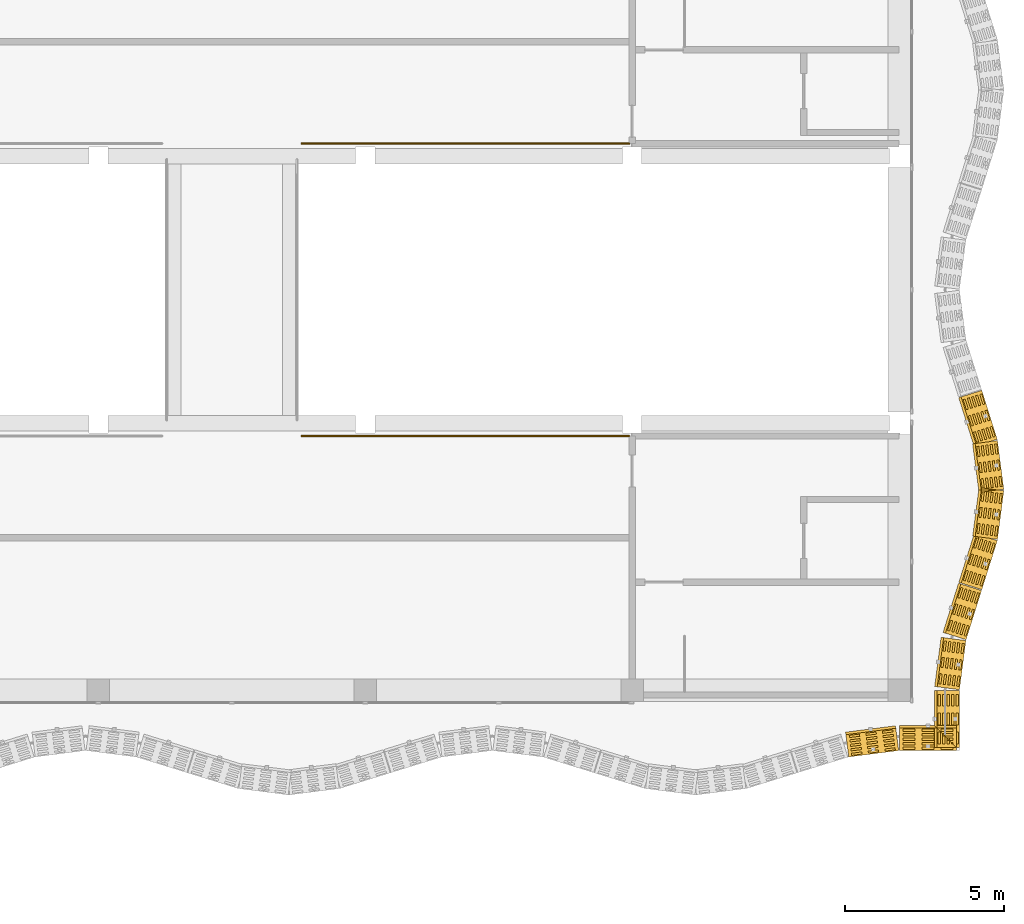
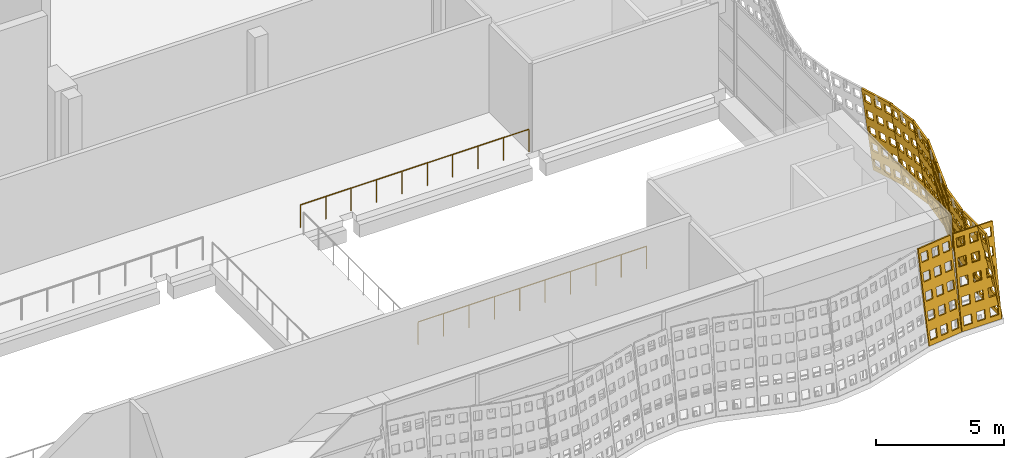
# One storey, part 160 of 162: 9 coverings, 2 railings.
"""IFC4 building model written with IfcOpenShell, lengths in metres."""

from ifc_helpers import new_model, si_unit, direction, frame, origin, origin_2d, place, context, subcontext, project, spatial, polyline, circle, outline, extrude, material, layer, layer_set, type_object, element, save


model = new_model("IFC4")

# Units and contexts
model_context = context("Model", 3, precision=1e-05, world=origin(), true_north=direction((0.0, 1.0)))
body_context = subcontext(model_context, "Body", "Model", "MODEL_VIEW")
ifc_project = project(units=[si_unit("LENGTHUNIT", "METRE"), si_unit("AREAUNIT", "SQUARE_METRE"), si_unit("VOLUMEUNIT", "CUBIC_METRE"), si_unit("PLANEANGLEUNIT", "RADIAN"), si_unit("MASSUNIT", "GRAM", prefix="KILO")], contexts=[model_context])

# Site, building, storey
site_placement = place(None, origin())
site = spatial("IfcSite", under=ifc_project, at=site_placement, CompositionType="ELEMENT")
building_placement = place(site_placement, origin())
building = spatial("IfcBuilding", under=site, at=building_placement, Name="Rain Tree Exposition and Congress Centre", CompositionType="ELEMENT")
storey_placement = place(building_placement, frame((0.0, 0.0, 6.0)))
storey = spatial("IfcBuildingStorey", under=building, at=storey_placement, Name="L01", CompositionType="ELEMENT", Elevation=6.0)

# Railings
ifc_material_1 = material(Name="Aluminium and glass balustrade", Category="aluminium")
railing_type = type_object("IfcRailingType", Name="Concourse guard 1100", PredefinedType="GUARDRAIL", material=ifc_material_1)
for number, where, name in (
    (1, (250.0, 83.60009765625, 0.0), "Concourse promenade guard 13"),
    (2, (250.0, 92.800048828125, 0.0), "Concourse promenade guard 27"),
):
    element("IfcRailing", number, at=place(storey_placement, frame(where)), inside=storey, type_object=railing_type, Name=name, PredefinedType="GUARDRAIL", context=body_context, shape_type="SweptSolid", body=[
        extrude(circle(Radius=0.02392578125, at=origin_2d()), frame((0.0, 0.0, 1.076171875), z_axis=(1.0, 0.0, 0.0), x_axis=(0.0, 1.0, 0.0)), (0.0, 0.0, 1.0), 10.300048828125),
        extrude(circle(Radius=0.02099609375, at=origin_2d()), origin(), (0.0, 0.0, 1.0), 1.052001953125),
        extrude(circle(Radius=0.02099609375, at=origin_2d()), frame((1.14453125, 0.0, 0.0)), (0.0, 0.0, 1.0), 1.052001953125),
        extrude(circle(Radius=0.02099609375, at=origin_2d()), frame((2.288818359375, 0.0, 0.0)), (0.0, 0.0, 1.0), 1.052001953125),
        extrude(circle(Radius=0.02099609375, at=origin_2d()), frame((3.433349609375, 0.0, 0.0)), (0.0, 0.0, 1.0), 1.052001953125),
        extrude(circle(Radius=0.02099609375, at=origin_2d()), frame((4.577880859375, 0.0, 0.0)), (0.0, 0.0, 1.0), 1.052001953125),
        extrude(circle(Radius=0.02099609375, at=origin_2d()), frame((5.72216796875, 0.0, 0.0)), (0.0, 0.0, 1.0), 1.052001953125),
        extrude(circle(Radius=0.02099609375, at=origin_2d()), frame((6.86669921875, 0.0, 0.0)), (0.0, 0.0, 1.0), 1.052001953125),
        extrude(circle(Radius=0.02099609375, at=origin_2d()), frame((8.01123046875, 0.0, 0.0)), (0.0, 0.0, 1.0), 1.052001953125),
        extrude(circle(Radius=0.02099609375, at=origin_2d()), frame((9.155517578125, 0.0, 0.0)), (0.0, 0.0, 1.0), 1.052001953125),
        extrude(circle(Radius=0.02099609375, at=origin_2d()), frame((10.300048828125, 0.0, 0.0)), (0.0, 0.0, 1.0), 1.052001953125),
    ])

# Coverings
ifc_material_2 = material(Name="Perforated terracotta", Category="masonry")
ifc_layer = layer(ifc_material_2, 0.080078125)
ifc_layer_set = layer_set([ifc_layer], Name="Perforated terracotta")
covering_type = type_object("IfcCoveringType", Name="Terracotta screen 80", PredefinedType="CLADDING", material=ifc_layer_set)
covering_1_placement = place(storey_placement, frame((267.19970703125, 73.496826171875, 0.01318359375), z_axis=(-0.124968640969, 0.978413018317, -0.164592844203), x_axis=(-0.991941518713, -0.126696580272, 0.0)))
element("IfcCovering", 3, at=covering_1_placement, inside=storey, type_object=covering_type, Name="concourse/screen/L01/168", PredefinedType="CLADDING", context=body_context, shape_type="SweptSolid", body=[
    extrude(outline(polyline([(-1.59814453125, 0.0), (-1.59814453125, 4.295166015625), (-0.014892578125, 4.295166015625), (-0.014892578125, 0.0), (-1.59814453125, 0.0)]), holes=[polyline([(-0.115234375, 0.2216796875), (-0.115234375, 0.63720703125), (-0.4423828125, 0.63720703125), (-0.4423828125, 0.2216796875), (-0.115234375, 0.2216796875)]), polyline([(-0.115234375, 1.080810546875), (-0.115234375, 1.496337890625), (-0.4423828125, 1.496337890625), (-0.4423828125, 1.080810546875), (-0.115234375, 1.080810546875)]), polyline([(-0.115234375, 1.939697265625), (-0.115234375, 2.35546875), (-0.4423828125, 2.35546875), (-0.4423828125, 1.939697265625), (-0.115234375, 1.939697265625)]), polyline([(-0.115234375, 2.798583984375), (-0.115234375, 3.21435546875), (-0.4423828125, 3.21435546875), (-0.4423828125, 2.798583984375), (-0.115234375, 2.798583984375)]), polyline([(-0.115234375, 3.65771484375), (-0.115234375, 4.073486328125), (-0.4423828125, 4.073486328125), (-0.4423828125, 3.65771484375), (-0.115234375, 3.65771484375)]), polyline([(-0.64306640625, 0.2216796875), (-0.64306640625, 0.63720703125), (-0.97021484375, 0.63720703125), (-0.97021484375, 0.2216796875), (-0.64306640625, 0.2216796875)]), polyline([(-0.64306640625, 1.080810546875), (-0.64306640625, 1.496337890625), (-0.97021484375, 1.496337890625), (-0.97021484375, 1.080810546875), (-0.64306640625, 1.080810546875)]), polyline([(-0.64306640625, 1.939697265625), (-0.64306640625, 2.35546875), (-0.97021484375, 2.35546875), (-0.97021484375, 1.939697265625), (-0.64306640625, 1.939697265625)]), polyline([(-0.64306640625, 2.798583984375), (-0.64306640625, 3.21435546875), (-0.97021484375, 3.21435546875), (-0.97021484375, 2.798583984375), (-0.64306640625, 2.798583984375)]), polyline([(-0.64306640625, 3.65771484375), (-0.64306640625, 4.073486328125), (-0.97021484375, 4.073486328125), (-0.97021484375, 3.65771484375), (-0.64306640625, 3.65771484375)]), polyline([(-1.170654296875, 0.2216796875), (-1.170654296875, 0.63720703125), (-1.497802734375, 0.63720703125), (-1.497802734375, 0.2216796875), (-1.170654296875, 0.2216796875)]), polyline([(-1.170654296875, 1.080810546875), (-1.170654296875, 1.496337890625), (-1.497802734375, 1.496337890625), (-1.497802734375, 1.080810546875), (-1.170654296875, 1.080810546875)]), polyline([(-1.170654296875, 1.939697265625), (-1.170654296875, 2.35546875), (-1.497802734375, 2.35546875), (-1.497802734375, 1.939697265625), (-1.170654296875, 1.939697265625)]), polyline([(-1.170654296875, 2.798583984375), (-1.170654296875, 3.21435546875), (-1.497802734375, 3.21435546875), (-1.497802734375, 2.798583984375), (-1.170654296875, 2.798583984375)]), polyline([(-1.170654296875, 3.65771484375), (-1.170654296875, 4.073486328125), (-1.497802734375, 4.073486328125), (-1.497802734375, 3.65771484375), (-1.170654296875, 3.65771484375)])]), origin(), (0.0, 0.0, 1.0), 0.080078125),
])
covering_2_placement = place(storey_placement, frame((268.800048828125, 73.701904296875, 0.01318359375), z_axis=(0.0, 0.986311269939, -0.1648941442), x_axis=(-1.0, 0.0, 0.0)))
element("IfcCovering", 4, at=covering_2_placement, inside=storey, type_object=covering_type, Name="concourse/screen/L01/169", PredefinedType="CLADDING", context=body_context, shape_type="SweptSolid", body=[
    extrude(outline(polyline([(-1.805419921875, 0.0), (-1.805419921875, 4.2958984375), (-0.014892578125, 4.2958984375), (-0.014892578125, 0.0), (-1.805419921875, 0.0)]), holes=[polyline([(-0.12841796875, 0.2216796875), (-0.12841796875, 0.637451171875), (-0.498291015625, 0.637451171875), (-0.498291015625, 0.2216796875), (-0.12841796875, 0.2216796875)]), polyline([(-0.12841796875, 1.080810546875), (-0.12841796875, 1.49658203125), (-0.498291015625, 1.49658203125), (-0.498291015625, 1.080810546875), (-0.12841796875, 1.080810546875)]), polyline([(-0.12841796875, 1.940185546875), (-0.12841796875, 2.355712890625), (-0.498291015625, 2.355712890625), (-0.498291015625, 1.940185546875), (-0.12841796875, 1.940185546875)]), polyline([(-0.12841796875, 2.79931640625), (-0.12841796875, 3.215087890625), (-0.498291015625, 3.215087890625), (-0.498291015625, 2.79931640625), (-0.12841796875, 2.79931640625)]), polyline([(-0.12841796875, 3.658447265625), (-0.12841796875, 4.07421875), (-0.498291015625, 4.07421875), (-0.498291015625, 3.658447265625), (-0.12841796875, 3.658447265625)]), polyline([(-0.72509765625, 0.2216796875), (-0.72509765625, 0.637451171875), (-1.09521484375, 0.637451171875), (-1.09521484375, 0.2216796875), (-0.72509765625, 0.2216796875)]), polyline([(-0.72509765625, 1.080810546875), (-0.72509765625, 1.49658203125), (-1.09521484375, 1.49658203125), (-1.09521484375, 1.080810546875), (-0.72509765625, 1.080810546875)]), polyline([(-0.72509765625, 1.940185546875), (-0.72509765625, 2.355712890625), (-1.09521484375, 2.355712890625), (-1.09521484375, 1.940185546875), (-0.72509765625, 1.940185546875)]), polyline([(-0.72509765625, 2.79931640625), (-0.72509765625, 3.215087890625), (-1.09521484375, 3.215087890625), (-1.09521484375, 2.79931640625), (-0.72509765625, 2.79931640625)]), polyline([(-0.72509765625, 3.658447265625), (-0.72509765625, 4.07421875), (-1.09521484375, 4.07421875), (-1.09521484375, 3.658447265625), (-0.72509765625, 3.658447265625)]), polyline([(-1.322021484375, 0.2216796875), (-1.322021484375, 0.637451171875), (-1.69189453125, 0.637451171875), (-1.69189453125, 0.2216796875), (-1.322021484375, 0.2216796875)]), polyline([(-1.322021484375, 1.080810546875), (-1.322021484375, 1.49658203125), (-1.69189453125, 1.49658203125), (-1.69189453125, 1.080810546875), (-1.322021484375, 1.080810546875)]), polyline([(-1.322021484375, 1.940185546875), (-1.322021484375, 2.355712890625), (-1.69189453125, 2.355712890625), (-1.69189453125, 1.940185546875), (-1.322021484375, 1.940185546875)]), polyline([(-1.322021484375, 2.79931640625), (-1.322021484375, 3.215087890625), (-1.69189453125, 3.215087890625), (-1.69189453125, 2.79931640625), (-1.322021484375, 2.79931640625)]), polyline([(-1.322021484375, 3.658447265625), (-1.322021484375, 4.07421875), (-1.69189453125, 4.07421875), (-1.69189453125, 3.658447265625), (-1.322021484375, 3.658447265625)])]), origin(), (0.0, 0.0, 1.0), 0.079833984375),
])
covering_3_placement = place(storey_placement, frame((270.697998046875, 73.69970703125, 0.01318359375), z_axis=(-0.986311269939, 0.0, -0.1648941442), x_axis=(0.0, -1.0, 0.0)))
element("IfcCovering", 5, at=covering_3_placement, inside=storey, type_object=covering_type, Name="concourse/screen/L01/170", PredefinedType="CLADDING", context=body_context, shape_type="SweptSolid", body=[
    extrude(outline(polyline([(-1.88525390625, 0.0), (-1.88525390625, 4.2958984375), (-0.094970703125, 4.2958984375), (-0.094970703125, 0.0), (-1.88525390625, 0.0)]), holes=[polyline([(-0.20849609375, 0.2216796875), (-0.20849609375, 0.637451171875), (-0.578369140625, 0.637451171875), (-0.578369140625, 0.2216796875), (-0.20849609375, 0.2216796875)]), polyline([(-0.20849609375, 1.080810546875), (-0.20849609375, 1.49658203125), (-0.578369140625, 1.49658203125), (-0.578369140625, 1.080810546875), (-0.20849609375, 1.080810546875)]), polyline([(-0.20849609375, 1.940185546875), (-0.20849609375, 2.355712890625), (-0.578369140625, 2.355712890625), (-0.578369140625, 1.940185546875), (-0.20849609375, 1.940185546875)]), polyline([(-0.20849609375, 2.79931640625), (-0.20849609375, 3.215087890625), (-0.578369140625, 3.215087890625), (-0.578369140625, 2.79931640625), (-0.20849609375, 2.79931640625)]), polyline([(-0.20849609375, 3.658447265625), (-0.20849609375, 4.07421875), (-0.578369140625, 4.07421875), (-0.578369140625, 3.658447265625), (-0.20849609375, 3.658447265625)]), polyline([(-0.80517578125, 0.2216796875), (-0.80517578125, 0.637451171875), (-1.175048828125, 0.637451171875), (-1.175048828125, 0.2216796875), (-0.80517578125, 0.2216796875)]), polyline([(-0.80517578125, 1.080810546875), (-0.80517578125, 1.49658203125), (-1.175048828125, 1.49658203125), (-1.175048828125, 1.080810546875), (-0.80517578125, 1.080810546875)]), polyline([(-0.80517578125, 1.940185546875), (-0.80517578125, 2.355712890625), (-1.175048828125, 2.355712890625), (-1.175048828125, 1.940185546875), (-0.80517578125, 1.940185546875)]), polyline([(-0.80517578125, 2.79931640625), (-0.80517578125, 3.215087890625), (-1.175048828125, 3.215087890625), (-1.175048828125, 2.79931640625), (-0.80517578125, 2.79931640625)]), polyline([(-0.80517578125, 3.658447265625), (-0.80517578125, 4.07421875), (-1.175048828125, 4.07421875), (-1.175048828125, 3.658447265625), (-0.80517578125, 3.658447265625)]), polyline([(-1.40185546875, 0.2216796875), (-1.40185546875, 0.637451171875), (-1.77197265625, 0.637451171875), (-1.77197265625, 0.2216796875), (-1.40185546875, 0.2216796875)]), polyline([(-1.40185546875, 1.080810546875), (-1.40185546875, 1.49658203125), (-1.77197265625, 1.49658203125), (-1.77197265625, 1.080810546875), (-1.40185546875, 1.080810546875)]), polyline([(-1.40185546875, 1.940185546875), (-1.40185546875, 2.355712890625), (-1.77197265625, 2.355712890625), (-1.77197265625, 1.940185546875), (-1.40185546875, 1.940185546875)]), polyline([(-1.40185546875, 2.79931640625), (-1.40185546875, 3.215087890625), (-1.77197265625, 3.215087890625), (-1.77197265625, 2.79931640625), (-1.40185546875, 2.79931640625)]), polyline([(-1.40185546875, 3.658447265625), (-1.40185546875, 4.07421875), (-1.77197265625, 4.07421875), (-1.77197265625, 3.658447265625), (-1.40185546875, 3.658447265625)])]), origin(), (0.0, 0.0, 1.0), 0.079833984375),
])
covering_4_placement = place(storey_placement, frame((270.697998046875, 75.600341796875, 0.01318359375), z_axis=(-0.9779030419, 0.128349774249, -0.165021138321), x_axis=(-0.130133906157, -0.991496427865, 0.0)))
element("IfcCovering", 6, at=covering_4_placement, inside=storey, type_object=covering_type, Name="concourse/screen/L01/171", PredefinedType="CLADDING", context=body_context, shape_type="SweptSolid", body=[
    extrude(outline(polyline([(-1.5732421875, 0.0), (-1.5732421875, 4.295166015625), (-0.014892578125, 4.295166015625), (-0.014892578125, 0.0), (-1.5732421875, 0.0)]), holes=[polyline([(-0.11376953125, 0.2216796875), (-0.11376953125, 0.63720703125), (-0.435791015625, 0.63720703125), (-0.435791015625, 0.2216796875), (-0.11376953125, 0.2216796875)]), polyline([(-0.11376953125, 1.080810546875), (-0.11376953125, 1.496337890625), (-0.435791015625, 1.496337890625), (-0.435791015625, 1.080810546875), (-0.11376953125, 1.080810546875)]), polyline([(-0.11376953125, 1.939697265625), (-0.11376953125, 2.35546875), (-0.435791015625, 2.35546875), (-0.435791015625, 1.939697265625), (-0.11376953125, 1.939697265625)]), polyline([(-0.11376953125, 2.798583984375), (-0.11376953125, 3.21435546875), (-0.435791015625, 3.21435546875), (-0.435791015625, 2.798583984375), (-0.11376953125, 2.798583984375)]), polyline([(-0.11376953125, 3.65771484375), (-0.11376953125, 4.073486328125), (-0.435791015625, 4.073486328125), (-0.435791015625, 3.65771484375), (-0.11376953125, 3.65771484375)]), polyline([(-0.633056640625, 0.2216796875), (-0.633056640625, 0.63720703125), (-0.955078125, 0.63720703125), (-0.955078125, 0.2216796875), (-0.633056640625, 0.2216796875)]), polyline([(-0.633056640625, 1.080810546875), (-0.633056640625, 1.496337890625), (-0.955078125, 1.496337890625), (-0.955078125, 1.080810546875), (-0.633056640625, 1.080810546875)]), polyline([(-0.633056640625, 1.939697265625), (-0.633056640625, 2.35546875), (-0.955078125, 2.35546875), (-0.955078125, 1.939697265625), (-0.633056640625, 1.939697265625)]), polyline([(-0.633056640625, 2.798583984375), (-0.633056640625, 3.21435546875), (-0.955078125, 3.21435546875), (-0.955078125, 2.798583984375), (-0.633056640625, 2.798583984375)]), polyline([(-0.633056640625, 3.65771484375), (-0.633056640625, 4.073486328125), (-0.955078125, 4.073486328125), (-0.955078125, 3.65771484375), (-0.633056640625, 3.65771484375)]), polyline([(-1.152587890625, 0.2216796875), (-1.152587890625, 0.63720703125), (-1.474609375, 0.63720703125), (-1.474609375, 0.2216796875), (-1.152587890625, 0.2216796875)]), polyline([(-1.152587890625, 1.080810546875), (-1.152587890625, 1.496337890625), (-1.474609375, 1.496337890625), (-1.474609375, 1.080810546875), (-1.152587890625, 1.080810546875)]), polyline([(-1.152587890625, 1.939697265625), (-1.152587890625, 2.35546875), (-1.474609375, 2.35546875), (-1.474609375, 1.939697265625), (-1.152587890625, 1.939697265625)]), polyline([(-1.152587890625, 2.798583984375), (-1.152587890625, 3.21435546875), (-1.474609375, 3.21435546875), (-1.474609375, 2.798583984375), (-1.152587890625, 2.798583984375)]), polyline([(-1.152587890625, 3.65771484375), (-1.152587890625, 4.073486328125), (-1.474609375, 4.073486328125), (-1.474609375, 3.65771484375), (-1.152587890625, 3.65771484375)])]), origin(), (0.0, 0.0, 1.0), 0.079833984375),
])
covering_5_placement = place(storey_placement, frame((270.9033203125, 77.175537109375, 0.0126953125), z_axis=(-0.942029390639, 0.295717964052, -0.158529217842), x_axis=(-0.29950542383, -0.954094597562, 0.0)))
element("IfcCovering", 7, at=covering_5_placement, inside=storey, type_object=covering_type, Name="concourse/screen/L01/172", PredefinedType="CLADDING", context=body_context, shape_type="SweptSolid", body=[
    extrude(outline(polyline([(-1.635986328125, 0.0), (-1.635986328125, 4.291259765625), (-0.014892578125, 4.291259765625), (-0.014892578125, 0.0), (-1.635986328125, 0.0)]), holes=[polyline([(-0.11767578125, 0.221435546875), (-0.11767578125, 0.63671875), (-0.45263671875, 0.63671875), (-0.45263671875, 0.221435546875), (-0.11767578125, 0.221435546875)]), polyline([(-0.11767578125, 1.07958984375), (-0.11767578125, 1.4951171875), (-0.45263671875, 1.4951171875), (-0.45263671875, 1.07958984375), (-0.11767578125, 1.07958984375)]), polyline([(-0.11767578125, 1.93798828125), (-0.11767578125, 2.353271484375), (-0.45263671875, 2.353271484375), (-0.45263671875, 1.93798828125), (-0.11767578125, 1.93798828125)]), polyline([(-0.11767578125, 2.796142578125), (-0.11767578125, 3.21142578125), (-0.45263671875, 3.21142578125), (-0.45263671875, 2.796142578125), (-0.11767578125, 2.796142578125)]), polyline([(-0.11767578125, 3.654541015625), (-0.11767578125, 4.06982421875), (-0.45263671875, 4.06982421875), (-0.45263671875, 3.654541015625), (-0.11767578125, 3.654541015625)]), polyline([(-0.657958984375, 0.221435546875), (-0.657958984375, 0.63671875), (-0.992919921875, 0.63671875), (-0.992919921875, 0.221435546875), (-0.657958984375, 0.221435546875)]), polyline([(-0.657958984375, 1.07958984375), (-0.657958984375, 1.4951171875), (-0.992919921875, 1.4951171875), (-0.992919921875, 1.07958984375), (-0.657958984375, 1.07958984375)]), polyline([(-0.657958984375, 1.93798828125), (-0.657958984375, 2.353271484375), (-0.992919921875, 2.353271484375), (-0.992919921875, 1.93798828125), (-0.657958984375, 1.93798828125)]), polyline([(-0.657958984375, 2.796142578125), (-0.657958984375, 3.21142578125), (-0.992919921875, 3.21142578125), (-0.992919921875, 2.796142578125), (-0.657958984375, 2.796142578125)]), polyline([(-0.657958984375, 3.654541015625), (-0.657958984375, 4.06982421875), (-0.992919921875, 4.06982421875), (-0.992919921875, 3.654541015625), (-0.657958984375, 3.654541015625)]), polyline([(-1.1982421875, 0.221435546875), (-1.1982421875, 0.63671875), (-1.533203125, 0.63671875), (-1.533203125, 0.221435546875), (-1.1982421875, 0.221435546875)]), polyline([(-1.1982421875, 1.07958984375), (-1.1982421875, 1.4951171875), (-1.533203125, 1.4951171875), (-1.533203125, 1.07958984375), (-1.1982421875, 1.07958984375)]), polyline([(-1.1982421875, 1.93798828125), (-1.1982421875, 2.353271484375), (-1.533203125, 2.353271484375), (-1.533203125, 1.93798828125), (-1.1982421875, 1.93798828125)]), polyline([(-1.1982421875, 2.796142578125), (-1.1982421875, 3.21142578125), (-1.533203125, 3.21142578125), (-1.533203125, 2.796142578125), (-1.1982421875, 2.796142578125)]), polyline([(-1.1982421875, 3.654541015625), (-1.1982421875, 4.06982421875), (-1.533203125, 4.06982421875), (-1.533203125, 3.654541015625), (-1.1982421875, 3.654541015625)])]), origin(), (0.0, 0.0, 1.0), 0.080078125),
])
covering_6_placement = place(storey_placement, frame((271.3984375, 78.75048828125, 0.0126953125), z_axis=(-0.941176896939, 0.298496232686, -0.158385756119), x_axis=(-0.302312226207, -0.953208958144, 0.0)))
element("IfcCovering", 8, at=covering_6_placement, inside=storey, type_object=covering_type, Name="concourse/screen/L01/173", PredefinedType="CLADDING", context=body_context, shape_type="SweptSolid", body=[
    extrude(outline(polyline([(-1.62890625, 0.0), (-1.62890625, 4.291259765625), (-0.014892578125, 4.291259765625), (-0.014892578125, 0.0), (-1.62890625, 0.0)]), holes=[polyline([(-0.1171875, 0.221435546875), (-0.1171875, 0.63671875), (-0.45068359375, 0.63671875), (-0.45068359375, 0.221435546875), (-0.1171875, 0.221435546875)]), polyline([(-0.1171875, 1.07958984375), (-0.1171875, 1.4951171875), (-0.45068359375, 1.4951171875), (-0.45068359375, 1.07958984375), (-0.1171875, 1.07958984375)]), polyline([(-0.1171875, 1.93798828125), (-0.1171875, 2.353271484375), (-0.45068359375, 2.353271484375), (-0.45068359375, 1.93798828125), (-0.1171875, 1.93798828125)]), polyline([(-0.1171875, 2.796142578125), (-0.1171875, 3.21142578125), (-0.45068359375, 3.21142578125), (-0.45068359375, 2.796142578125), (-0.1171875, 2.796142578125)]), polyline([(-0.1171875, 3.654541015625), (-0.1171875, 4.06982421875), (-0.45068359375, 4.06982421875), (-0.45068359375, 3.654541015625), (-0.1171875, 3.654541015625)]), polyline([(-0.6552734375, 0.221435546875), (-0.6552734375, 0.63671875), (-0.98876953125, 0.63671875), (-0.98876953125, 0.221435546875), (-0.6552734375, 0.221435546875)]), polyline([(-0.6552734375, 1.07958984375), (-0.6552734375, 1.4951171875), (-0.98876953125, 1.4951171875), (-0.98876953125, 1.07958984375), (-0.6552734375, 1.07958984375)]), polyline([(-0.6552734375, 1.93798828125), (-0.6552734375, 2.353271484375), (-0.98876953125, 2.353271484375), (-0.98876953125, 1.93798828125), (-0.6552734375, 1.93798828125)]), polyline([(-0.6552734375, 2.796142578125), (-0.6552734375, 3.21142578125), (-0.98876953125, 3.21142578125), (-0.98876953125, 2.796142578125), (-0.6552734375, 2.796142578125)]), polyline([(-0.6552734375, 3.654541015625), (-0.6552734375, 4.06982421875), (-0.98876953125, 4.06982421875), (-0.98876953125, 3.654541015625), (-0.6552734375, 3.654541015625)]), polyline([(-1.193115234375, 0.221435546875), (-1.193115234375, 0.63671875), (-1.526611328125, 0.63671875), (-1.526611328125, 0.221435546875), (-1.193115234375, 0.221435546875)]), polyline([(-1.193115234375, 1.07958984375), (-1.193115234375, 1.4951171875), (-1.526611328125, 1.4951171875), (-1.526611328125, 1.07958984375), (-1.193115234375, 1.07958984375)]), polyline([(-1.193115234375, 1.93798828125), (-1.193115234375, 2.353271484375), (-1.526611328125, 2.353271484375), (-1.526611328125, 1.93798828125), (-1.193115234375, 1.93798828125)]), polyline([(-1.193115234375, 2.796142578125), (-1.193115234375, 3.21142578125), (-1.526611328125, 3.21142578125), (-1.526611328125, 2.796142578125), (-1.193115234375, 2.796142578125)]), polyline([(-1.193115234375, 3.654541015625), (-1.193115234375, 4.06982421875), (-1.526611328125, 4.06982421875), (-1.526611328125, 3.654541015625), (-1.193115234375, 3.654541015625)])]), origin(), (0.0, 0.0, 1.0), 0.080078125),
])
covering_7_placement = place(storey_placement, frame((271.89306640625, 80.3251953125, 0.01318359375), z_axis=(-0.9779030419, 0.128349774249, -0.165021138321), x_axis=(-0.130133906157, -0.991496427865, 0.0)))
element("IfcCovering", 9, at=covering_7_placement, inside=storey, type_object=covering_type, Name="concourse/screen/L01/174", PredefinedType="CLADDING", context=body_context, shape_type="SweptSolid", body=[
    extrude(outline(polyline([(-1.56298828125, 0.0), (-1.56298828125, 4.295166015625), (-0.02197265625, 4.295166015625), (-0.02197265625, 0.0), (-1.56298828125, 0.0)]), holes=[polyline([(-0.11962890625, 0.2216796875), (-0.11962890625, 0.63720703125), (-0.43798828125, 0.63720703125), (-0.43798828125, 0.2216796875), (-0.11962890625, 0.2216796875)]), polyline([(-0.11962890625, 1.080810546875), (-0.11962890625, 1.496337890625), (-0.43798828125, 1.496337890625), (-0.43798828125, 1.080810546875), (-0.11962890625, 1.080810546875)]), polyline([(-0.11962890625, 1.939697265625), (-0.11962890625, 2.35546875), (-0.43798828125, 2.35546875), (-0.43798828125, 1.939697265625), (-0.11962890625, 1.939697265625)]), polyline([(-0.11962890625, 2.798583984375), (-0.11962890625, 3.21435546875), (-0.43798828125, 3.21435546875), (-0.43798828125, 2.798583984375), (-0.11962890625, 2.798583984375)]), polyline([(-0.11962890625, 3.65771484375), (-0.11962890625, 4.073486328125), (-0.43798828125, 4.073486328125), (-0.43798828125, 3.65771484375), (-0.11962890625, 3.65771484375)]), polyline([(-0.63330078125, 0.2216796875), (-0.63330078125, 0.63720703125), (-0.95166015625, 0.63720703125), (-0.95166015625, 0.2216796875), (-0.63330078125, 0.2216796875)]), polyline([(-0.63330078125, 1.080810546875), (-0.63330078125, 1.496337890625), (-0.95166015625, 1.496337890625), (-0.95166015625, 1.080810546875), (-0.63330078125, 1.080810546875)]), polyline([(-0.63330078125, 1.939697265625), (-0.63330078125, 2.35546875), (-0.95166015625, 2.35546875), (-0.95166015625, 1.939697265625), (-0.63330078125, 1.939697265625)]), polyline([(-0.63330078125, 2.798583984375), (-0.63330078125, 3.21435546875), (-0.95166015625, 3.21435546875), (-0.95166015625, 2.798583984375), (-0.63330078125, 2.798583984375)]), polyline([(-0.63330078125, 3.65771484375), (-0.63330078125, 4.073486328125), (-0.95166015625, 4.073486328125), (-0.95166015625, 3.65771484375), (-0.63330078125, 3.65771484375)]), polyline([(-1.146728515625, 0.2216796875), (-1.146728515625, 0.63720703125), (-1.46533203125, 0.63720703125), (-1.46533203125, 0.2216796875), (-1.146728515625, 0.2216796875)]), polyline([(-1.146728515625, 1.080810546875), (-1.146728515625, 1.496337890625), (-1.46533203125, 1.496337890625), (-1.46533203125, 1.080810546875), (-1.146728515625, 1.080810546875)]), polyline([(-1.146728515625, 1.939697265625), (-1.146728515625, 2.35546875), (-1.46533203125, 2.35546875), (-1.46533203125, 1.939697265625), (-1.146728515625, 1.939697265625)]), polyline([(-1.146728515625, 2.798583984375), (-1.146728515625, 3.21435546875), (-1.46533203125, 3.21435546875), (-1.46533203125, 2.798583984375), (-1.146728515625, 2.798583984375)]), polyline([(-1.146728515625, 3.65771484375), (-1.146728515625, 4.073486328125), (-1.46533203125, 4.073486328125), (-1.46533203125, 3.65771484375), (-1.146728515625, 3.65771484375)])]), origin(), (0.0, 0.0, 1.0), 0.079833984375),
])
covering_8_placement = place(storey_placement, frame((272.09814453125, 81.899658203125, 0.01318359375), z_axis=(-0.9779030419, -0.128349774249, -0.165021138321), x_axis=(0.130133906157, -0.991496427865, 0.0)))
element("IfcCovering", 10, at=covering_8_placement, inside=storey, type_object=covering_type, Name="concourse/screen/L01/175", PredefinedType="CLADDING", context=body_context, shape_type="SweptSolid", body=[
    extrude(outline(polyline([(-1.56640625, 0.0), (-1.56640625, 4.295166015625), (-0.025390625, 4.295166015625), (-0.025390625, 0.0), (-1.56640625, 0.0)]), holes=[polyline([(-0.123046875, 0.2216796875), (-0.123046875, 0.63720703125), (-0.44140625, 0.63720703125), (-0.44140625, 0.2216796875), (-0.123046875, 0.2216796875)]), polyline([(-0.123046875, 1.080810546875), (-0.123046875, 1.496337890625), (-0.44140625, 1.496337890625), (-0.44140625, 1.080810546875), (-0.123046875, 1.080810546875)]), polyline([(-0.123046875, 1.939697265625), (-0.123046875, 2.35546875), (-0.44140625, 2.35546875), (-0.44140625, 1.939697265625), (-0.123046875, 1.939697265625)]), polyline([(-0.123046875, 2.798583984375), (-0.123046875, 3.21435546875), (-0.44140625, 3.21435546875), (-0.44140625, 2.798583984375), (-0.123046875, 2.798583984375)]), polyline([(-0.123046875, 3.65771484375), (-0.123046875, 4.073486328125), (-0.44140625, 4.073486328125), (-0.44140625, 3.65771484375), (-0.123046875, 3.65771484375)]), polyline([(-0.63671875, 0.2216796875), (-0.63671875, 0.63720703125), (-0.955078125, 0.63720703125), (-0.955078125, 0.2216796875), (-0.63671875, 0.2216796875)]), polyline([(-0.63671875, 1.080810546875), (-0.63671875, 1.496337890625), (-0.955078125, 1.496337890625), (-0.955078125, 1.080810546875), (-0.63671875, 1.080810546875)]), polyline([(-0.63671875, 1.939697265625), (-0.63671875, 2.35546875), (-0.955078125, 2.35546875), (-0.955078125, 1.939697265625), (-0.63671875, 1.939697265625)]), polyline([(-0.63671875, 2.798583984375), (-0.63671875, 3.21435546875), (-0.955078125, 3.21435546875), (-0.955078125, 2.798583984375), (-0.63671875, 2.798583984375)]), polyline([(-0.63671875, 3.65771484375), (-0.63671875, 4.073486328125), (-0.955078125, 4.073486328125), (-0.955078125, 3.65771484375), (-0.63671875, 3.65771484375)]), polyline([(-1.150146484375, 0.2216796875), (-1.150146484375, 0.63720703125), (-1.46875, 0.63720703125), (-1.46875, 0.2216796875), (-1.150146484375, 0.2216796875)]), polyline([(-1.150146484375, 1.080810546875), (-1.150146484375, 1.496337890625), (-1.46875, 1.496337890625), (-1.46875, 1.080810546875), (-1.150146484375, 1.080810546875)]), polyline([(-1.150146484375, 1.939697265625), (-1.150146484375, 2.35546875), (-1.46875, 2.35546875), (-1.46875, 1.939697265625), (-1.150146484375, 1.939697265625)]), polyline([(-1.150146484375, 2.798583984375), (-1.150146484375, 3.21435546875), (-1.46875, 3.21435546875), (-1.46875, 2.798583984375), (-1.150146484375, 2.798583984375)]), polyline([(-1.150146484375, 3.65771484375), (-1.150146484375, 4.073486328125), (-1.46875, 4.073486328125), (-1.46875, 3.65771484375), (-1.150146484375, 3.65771484375)])]), origin(), (0.0, 0.0, 1.0), 0.079833984375),
])
covering_9_placement = place(storey_placement, frame((271.893310546875, 83.474365234375, 0.0126953125), z_axis=(-0.941684688936, -0.296569528658, -0.158985726703), x_axis=(0.300390227601, -0.953816392794, 0.0)))
element("IfcCovering", 11, at=covering_9_placement, inside=storey, type_object=covering_type, Name="concourse/screen/L01/176", PredefinedType="CLADDING", context=body_context, shape_type="SweptSolid", body=[
    extrude(outline(polyline([(-1.635986328125, 0.0), (-1.635986328125, 4.291259765625), (-0.02197265625, 4.291259765625), (-0.02197265625, 0.0), (-1.635986328125, 0.0)]), holes=[polyline([(-0.124267578125, 0.221435546875), (-0.124267578125, 0.63671875), (-0.457763671875, 0.63671875), (-0.457763671875, 0.221435546875), (-0.124267578125, 0.221435546875)]), polyline([(-0.124267578125, 1.07958984375), (-0.124267578125, 1.4951171875), (-0.457763671875, 1.4951171875), (-0.457763671875, 1.07958984375), (-0.124267578125, 1.07958984375)]), polyline([(-0.124267578125, 1.93798828125), (-0.124267578125, 2.353271484375), (-0.457763671875, 2.353271484375), (-0.457763671875, 1.93798828125), (-0.124267578125, 1.93798828125)]), polyline([(-0.124267578125, 2.796142578125), (-0.124267578125, 3.21142578125), (-0.457763671875, 3.21142578125), (-0.457763671875, 2.796142578125), (-0.124267578125, 2.796142578125)]), polyline([(-0.124267578125, 3.654541015625), (-0.124267578125, 4.06982421875), (-0.457763671875, 4.06982421875), (-0.457763671875, 3.654541015625), (-0.124267578125, 3.654541015625)]), polyline([(-0.662109375, 0.221435546875), (-0.662109375, 0.63671875), (-0.995849609375, 0.63671875), (-0.995849609375, 0.221435546875), (-0.662109375, 0.221435546875)]), polyline([(-0.662109375, 1.07958984375), (-0.662109375, 1.4951171875), (-0.995849609375, 1.4951171875), (-0.995849609375, 1.07958984375), (-0.662109375, 1.07958984375)]), polyline([(-0.662109375, 1.93798828125), (-0.662109375, 2.353271484375), (-0.995849609375, 2.353271484375), (-0.995849609375, 1.93798828125), (-0.662109375, 1.93798828125)]), polyline([(-0.662109375, 2.796142578125), (-0.662109375, 3.21142578125), (-0.995849609375, 3.21142578125), (-0.995849609375, 2.796142578125), (-0.662109375, 2.796142578125)]), polyline([(-0.662109375, 3.654541015625), (-0.662109375, 4.06982421875), (-0.995849609375, 4.06982421875), (-0.995849609375, 3.654541015625), (-0.662109375, 3.654541015625)]), polyline([(-1.2001953125, 0.221435546875), (-1.2001953125, 0.63671875), (-1.53369140625, 0.63671875), (-1.53369140625, 0.221435546875), (-1.2001953125, 0.221435546875)]), polyline([(-1.2001953125, 1.07958984375), (-1.2001953125, 1.4951171875), (-1.53369140625, 1.4951171875), (-1.53369140625, 1.07958984375), (-1.2001953125, 1.07958984375)]), polyline([(-1.2001953125, 1.93798828125), (-1.2001953125, 2.353271484375), (-1.53369140625, 2.353271484375), (-1.53369140625, 1.93798828125), (-1.2001953125, 1.93798828125)]), polyline([(-1.2001953125, 2.796142578125), (-1.2001953125, 3.21142578125), (-1.53369140625, 3.21142578125), (-1.53369140625, 2.796142578125), (-1.2001953125, 2.796142578125)]), polyline([(-1.2001953125, 3.654541015625), (-1.2001953125, 4.06982421875), (-1.53369140625, 4.06982421875), (-1.53369140625, 3.654541015625), (-1.2001953125, 3.654541015625)])]), origin(), (0.0, 0.0, 1.0), 0.079833984375),
])

save(model, "model.ifc")
